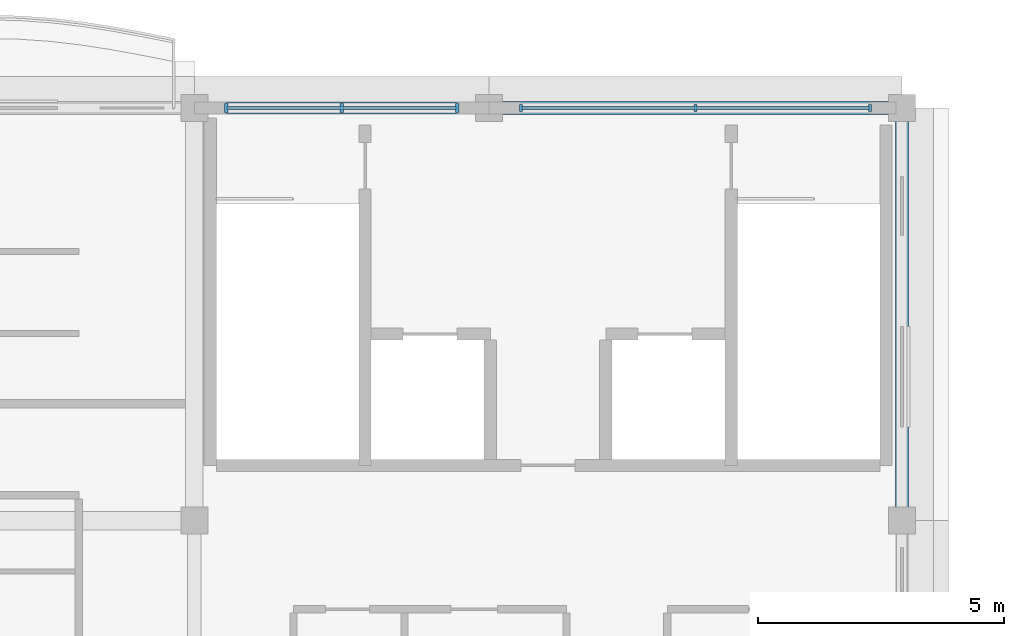
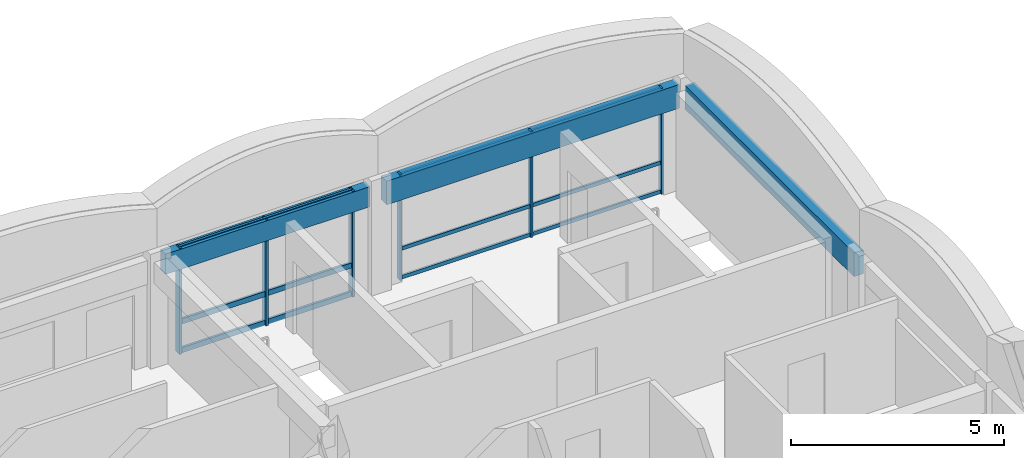
# One storey, part 4 of 28: 12 members, 3 beams, 2 elements without a shape of their own.
"""IFC4 building model written with IfcOpenShell, lengths in metres."""

import ifcopenshell
import ifcopenshell.guid

model = None  # the IFC model being written
_history = None  # IfcOwnerHistory: only IFC2X3 demands one
_inside = {}  # id of a spatial element -> (the spatial element, [elements in it])
_under = {}  # id of a project, library or spatial element -> (it, [spatial elements below it])
_declared = {}  # id of a project -> (the project, [libraries it declares])
_typed = {}  # id of a type object -> (the type object, [elements of that type])
_made_of = {}  # id of a material, layer set ... -> (it, [elements and type objects made of it])


def new_model(schema):
    """Start an empty IFC model of exactly this schema.

    Asked for "IFC4X3", IfcOpenShell would pick the latest addendum, in which some entities
    have other attributes; the version numbers below select the first issue.
    IFC2X3 requires an IfcOwnerHistory on every rooted entity: one is made here for all.
    """
    global model, _history
    if schema == "IFC4X3":
        model = ifcopenshell.file(schema_version=(4, 3, 0, 0))
    else:
        model = ifcopenshell.file(schema=schema)
    _inside.clear()
    _under.clear()
    _declared.clear()
    _typed.clear()
    _made_of.clear()
    _history = None
    if model.schema == "IFC2X3":
        org = make("IfcOrganization", Name="unknown")
        user = make(
            "IfcPersonAndOrganization",
            ThePerson=make("IfcPerson", FamilyName="unknown"),
            TheOrganization=org,
        )
        app = make(
            "IfcApplication",
            ApplicationDeveloper=org,
            Version="unknown",
            ApplicationFullName="unknown",
            ApplicationIdentifier="unknown",
        )
        _history = make(
            "IfcOwnerHistory",
            OwningUser=user,
            OwningApplication=app,
            ChangeAction="ADDED",
            CreationDate=0,
        )
    return model


def make(cls, **values):
    """One entity of the class cls with the attributes given. An attribute that is None is left unset."""
    return model.create_entity(
        cls, **{name: value for name, value in values.items() if value is not None}
    )


def rooted(cls, **values):
    """An entity with a GlobalId (a new one), such as an element, a storey or a relation."""
    return make(cls, GlobalId=ifcopenshell.guid.new(), OwnerHistory=_history, **values)


def si_unit(unit_type, name, prefix=None):
    """IfcSIUnit, for example si_unit("LENGTHUNIT", "METRE", prefix="MILLI")."""
    return make("IfcSIUnit", UnitType=unit_type, Prefix=prefix, Name=name)


def assignment(units):
    """IfcUnitAssignment: the units of a project."""
    return None if units is None else make("IfcUnitAssignment", Units=units)


def point(xyz):
    """IfcCartesianPoint."""
    return None if xyz is None else make("IfcCartesianPoint", Coordinates=xyz)


def direction(xyz):
    """IfcDirection."""
    return None if xyz is None else make("IfcDirection", DirectionRatios=xyz)


def frame(location, z_axis=None, x_axis=None):
    """IfcAxis2Placement3D, a coordinate frame: its origin and axes. An axis left out is left unset."""
    return make(
        "IfcAxis2Placement3D",
        Location=point(location),
        Axis=direction(z_axis),
        RefDirection=direction(x_axis),
    )


def frame_2d(location, x_axis=None):
    """IfcAxis2Placement2D, a coordinate frame in the plane: its origin and x axis."""
    return make(
        "IfcAxis2Placement2D", Location=point(location), RefDirection=direction(x_axis)
    )


def origin():
    """The frame at (0, 0, 0) with its axes left unset."""
    return frame((0.0, 0.0, 0.0))


def origin_2d():
    """The frame at (0, 0) in the plane with its x axis left unset."""
    return frame_2d((0.0, 0.0))


def place(relative_to, where):
    """IfcLocalPlacement: puts the frame where relative to a parent placement (None: the world)."""
    return make(
        "IfcLocalPlacement", PlacementRelTo=relative_to, RelativePlacement=where
    )


def context(
    kind, dimensions, precision=None, world=None, true_north=None, identifier=None
):
    """IfcGeometricRepresentationContext, for example the 3D "Model" context."""
    return make(
        "IfcGeometricRepresentationContext",
        ContextIdentifier=identifier,
        ContextType=kind,
        CoordinateSpaceDimension=dimensions,
        Precision=precision,
        WorldCoordinateSystem=world,
        TrueNorth=true_north,
    )


def subcontext(parent, identifier, kind, view, scale=None):
    """IfcGeometricRepresentationSubContext, for example "Body" below "Model"."""
    return make(
        "IfcGeometricRepresentationSubContext",
        ContextIdentifier=identifier,
        ContextType=kind,
        ParentContext=parent,
        TargetScale=scale,
        TargetView=view,
    )


def project(units=None, contexts=None):
    """IfcProject with its units and contexts."""
    return rooted(
        "IfcProject",
        Name="project",
        RepresentationContexts=contexts,
        UnitsInContext=assignment(units),
    )


def spatial(cls, under=None, at=None, **own):
    """A site, building, storey or space (cls), placed at a placement, below another one or the project."""
    s = rooted(cls, ObjectPlacement=at, **own)
    if under is not None:
        _under.setdefault(under.id(), (under, []))[1].append(s)
    return s


def profile(cls, at=None, kind="AREA", **sizes):
    """A parametric profile (cls). Its sizes go by their IFC names, for example OverallWidth=200.0."""
    return make(cls, ProfileType=kind, Position=at, **sizes)


def rectangle(**sizes):
    """IfcRectangleProfileDef."""
    return profile("IfcRectangleProfileDef", **sizes)


def extrude(swept, where, along, depth):
    """IfcExtrudedAreaSolid: the profile swept, set in the frame where, extruded along a direction by depth."""
    return make(
        "IfcExtrudedAreaSolid",
        SweptArea=swept,
        Position=where,
        ExtrudedDirection=direction(along),
        Depth=depth,
    )


def shape(context_of_items, identifier, shape_type, items):
    """IfcShapeRepresentation: the items that make up one representation, for example the "Body"."""
    return make(
        "IfcShapeRepresentation",
        ContextOfItems=context_of_items,
        RepresentationIdentifier=identifier,
        RepresentationType=shape_type,
        Items=items,
    )


def material(Name=None, Category=None):
    """IfcMaterial."""
    return make("IfcMaterial", Name=Name, Category=Category)


def material_profile(
    of_material, cross_section, Name=None, Category=None, Priority=None
):
    """IfcMaterialProfile: a cross section and its material."""
    return make(
        "IfcMaterialProfile",
        Name=Name,
        Material=of_material,
        Profile=cross_section,
        Priority=Priority,
        Category=Category,
    )


def profile_set(profiles, Name=None, composite=None):
    """IfcMaterialProfileSet."""
    return make(
        "IfcMaterialProfileSet",
        Name=Name,
        MaterialProfiles=profiles,
        CompositeProfile=composite,
    )


def made_of(thing, what):
    """Note that an element or type object is made of a material, layer set ...; save() writes the relation."""
    if what is not None:
        _made_of.setdefault(what.id(), (what, []))[1].append(thing)
    return thing


def type_object(cls, material=None, **own):
    """A type object (cls), such as IfcWallType, which elements share."""
    return made_of(rooted(cls, **own), material)


def element(
    cls,
    number,
    at=None,
    inside=None,
    cuts=None,
    type_object=None,
    material=None,
    context=None,
    identifier="Body",
    shape_type=None,
    held_by="IfcProductDefinitionShape",
    body=None,
    shapes=None,
    **own,
):
    """One element of the class cls, such as IfcWall. Its Tag is "e" and its number.

    at: its placement. inside: the storey or other place that contains it. cuts: it is an
    opening in that element (IfcRelVoidsElement). A single representation is given by context,
    identifier, shape_type and body (its items); several are given by shapes. held_by: the class
    of the entity that holds the representations. save() writes the other relations.
    """
    e = rooted(cls, Tag="e%d" % number, ObjectPlacement=at, **own)
    if body is not None:
        shapes = [shape(context, identifier, shape_type, body)]
    if shapes is not None:
        e.Representation = make(held_by, Representations=shapes)
    if inside is not None:
        _inside.setdefault(inside.id(), (inside, []))[1].append(e)
    if cuts is not None:
        rooted(
            "IfcRelVoidsElement", RelatingBuildingElement=cuts, RelatedOpeningElement=e
        )
    if type_object is not None:
        _typed.setdefault(type_object.id(), (type_object, []))[1].append(e)
    return made_of(e, material)


def aggregate(whole, parts):
    """IfcRelAggregates: a whole, such as a stair, and the parts it consists of."""
    return rooted("IfcRelAggregates", RelatingObject=whole, RelatedObjects=parts)


def save(model, path):
    """Write the relations noted so far, then the file.

    IfcRelAggregates (storeys below a building ...), IfcRelContainedInSpatialStructure (elements
    in a storey), IfcRelDefinesByType, IfcRelAssociatesMaterial and IfcRelDeclares: one each for
    every whole, place, type object, material and project.
    """
    for whole, parts in _under.values():
        aggregate(whole, parts)
    for where, things in _inside.values():
        rooted(
            "IfcRelContainedInSpatialStructure",
            RelatedElements=things,
            RelatingStructure=where,
        )
    for kind, things in _typed.values():
        rooted("IfcRelDefinesByType", RelatedObjects=things, RelatingType=kind)
    for what, things in _made_of.values():
        rooted("IfcRelAssociatesMaterial", RelatedObjects=things, RelatingMaterial=what)
    for by, libraries in _declared.values():
        rooted("IfcRelDeclares", RelatingContext=by, RelatedDefinitions=libraries)
    model.write(path)


model = new_model("IFC4")

# Units and contexts
model_context = context("Model", 3, precision=1e-05, world=origin(), true_north=direction((0.0, 1.0)))
body_context = subcontext(model_context, "Body", "Model", "MODEL_VIEW")
ifc_project = project(units=[si_unit("LENGTHUNIT", "METRE"), si_unit("AREAUNIT", "SQUARE_METRE"), si_unit("VOLUMEUNIT", "CUBIC_METRE"), si_unit("PLANEANGLEUNIT", "RADIAN"), si_unit("MASSUNIT", "GRAM", prefix="KILO"), si_unit("THERMODYNAMICTEMPERATUREUNIT", "KELVIN")], contexts=[model_context])

# Site, building, storey
site_placement = place(None, origin())
site = spatial("IfcSite", under=ifc_project, at=site_placement, CompositionType="ELEMENT")
building_placement = place(site_placement, origin())
building = spatial("IfcBuilding", under=site, at=building_placement, Name="Thalorik Housing Commons", CompositionType="ELEMENT")
storey_placement = place(building_placement, frame((0.0, 0.0, 41.10009765625)))
storey = spatial("IfcBuildingStorey", under=building, at=storey_placement, Name="L12", CompositionType="ELEMENT", Elevation=41.10009765625)

# Curtain wall, members
ifc_material_1 = material(Name="Anodised aluminium and solar-control low-E glass", Category="aluminium")
curtain_wall_type = type_object("IfcCurtainWallType", Name="ARC-CW-CORE", PredefinedType="USERDEFINED", material=ifc_material_1)
curtain_wall_1_placement = place(storey_placement, origin())
curtain_wall_1 = element("IfcCurtainWall", 1, at=curtain_wall_1_placement, inside=storey, type_object=curtain_wall_type, Name="L12 Curtain Wall CW-CORE-L12-B-125", ObjectType="CURTAIN WALL", PredefinedType="USERDEFINED")
ifc_material_2 = material(Name="Anodised aluminium 6063-T6", Category="aluminium")
ifc_material_profile_1 = material_profile(ifc_material_2, rectangle(XDim=0.054931640625, YDim=0.139892578125, at=origin_2d()), Name="ALU MUL 55x140", Category="aluminium")
ifc_profile_set_1 = profile_set([ifc_material_profile_1], Name="Anodised aluminium 6063-T6")
member_type_1 = type_object("IfcMemberType", Name="ARC-CW-MUL-55x140", PredefinedType="MULLION", material=ifc_profile_set_1)
member_1_placement = place(storey_placement, frame((166.14990234375, 123.60009765625, 0.0), z_axis=(0.0, 0.0, 1.0), x_axis=(-1.0, 0.0, 0.0)))
member_1 = element("IfcMember", 2, at=member_1_placement, type_object=member_type_1, Name="CW-CORE-L12-B-125 Mullion 1", PredefinedType="MULLION", context=body_context, shape_type="SweptSolid", body=[
    extrude(rectangle(XDim=0.054931640625, YDim=0.139892578125, at=origin_2d()), origin(), (0.0, 0.0, 1.0), 3.039794921875),
])
member_2_placement = place(storey_placement, frame((162.60009765625, 123.60009765625, 0.0), z_axis=(0.0, 0.0, 1.0), x_axis=(-1.0, 0.0, 0.0)))
member_2 = element("IfcMember", 3, at=member_2_placement, type_object=member_type_1, Name="CW-CORE-L12-B-125 Mullion 2", PredefinedType="MULLION", context=body_context, shape_type="SweptSolid", body=[
    extrude(rectangle(XDim=0.054931640625, YDim=0.139892578125, at=origin_2d()), origin(), (0.0, 0.0, 1.0), 3.039794921875),
])
member_3_placement = place(storey_placement, frame((159.050048828125, 123.60009765625, 0.0), z_axis=(0.0, 0.0, 1.0), x_axis=(-1.0, 0.0, 0.0)))
member_3 = element("IfcMember", 4, at=member_3_placement, type_object=member_type_1, Name="CW-CORE-L12-B-125 Mullion 3", PredefinedType="MULLION", context=body_context, shape_type="SweptSolid", body=[
    extrude(rectangle(XDim=0.054931640625, YDim=0.139892578125, at=origin_2d()), origin(), (0.0, 0.0, 1.0), 3.039794921875),
])

curtain_wall_2_placement = place(storey_placement, origin())
curtain_wall_2 = element("IfcCurtainWall", 5, at=curtain_wall_2_placement, inside=storey, type_object=curtain_wall_type, Name="L12 Curtain Wall CW-CORE-L12-B-126", ObjectType="CURTAIN WALL", PredefinedType="USERDEFINED")
ifc_material_profile_2 = material_profile(ifc_material_2, rectangle(XDim=0.06494140625, YDim=0.179931640625, at=origin_2d()), Name="ALU MUL 65x180", Category="aluminium")
ifc_profile_set_2 = profile_set([ifc_material_profile_2], Name="Anodised aluminium 6063-T6")
member_type_2 = type_object("IfcMemberType", Name="ARC-CW-MUL-65x180", PredefinedType="MULLION", material=ifc_profile_set_2)
member_4_placement = place(storey_placement, frame((157.75, 123.60009765625, 0.0), z_axis=(0.0, 0.0, 1.0), x_axis=(-1.0, 0.0, 0.0)))
member_4 = element("IfcMember", 6, at=member_4_placement, type_object=member_type_2, Name="CW-CORE-L12-B-126 Mullion 1", PredefinedType="MULLION", context=body_context, shape_type="SweptSolid", body=[
    extrude(rectangle(XDim=0.06494140625, YDim=0.179931640625, at=origin_2d()), origin(), (0.0, 0.0, 1.0), 3.039794921875),
])
member_5_placement = place(storey_placement, frame((155.39990234375, 123.60009765625, 0.0), z_axis=(0.0, 0.0, 1.0), x_axis=(-1.0, 0.0, 0.0)))
member_5 = element("IfcMember", 7, at=member_5_placement, type_object=member_type_2, Name="CW-CORE-L12-B-126 Mullion 2", PredefinedType="MULLION", context=body_context, shape_type="SweptSolid", body=[
    extrude(rectangle(XDim=0.06494140625, YDim=0.179931640625, at=origin_2d()), origin(), (0.0, 0.0, 1.0), 3.039794921875),
])
member_6_placement = place(storey_placement, frame((153.050048828125, 123.60009765625, 0.0), z_axis=(0.0, 0.0, 1.0), x_axis=(-1.0, 0.0, 0.0)))
member_6 = element("IfcMember", 8, at=member_6_placement, type_object=member_type_2, Name="CW-CORE-L12-B-126 Mullion 3", PredefinedType="MULLION", context=body_context, shape_type="SweptSolid", body=[
    extrude(rectangle(XDim=0.06494140625, YDim=0.179931640625, at=origin_2d()), origin(), (0.0, 0.0, 1.0), 3.039794921875),
])

# Member
ifc_material_profile_3 = material_profile(ifc_material_2, rectangle(XDim=0.054931640625, YDim=0.10498046875, at=origin_2d()), Name="ALU TRN 55x105", Category="aluminium")
ifc_profile_set_3 = profile_set([ifc_material_profile_3], Name="Anodised aluminium 6063-T6")
member_type_3 = type_object("IfcMemberType", Name="ARC-CW-TRN-55x105", PredefinedType="USERDEFINED", material=ifc_profile_set_3)
member_7_placement = place(storey_placement, frame((166.14990234375, 123.60009765625, 0.054931640625), z_axis=(-1.0, 0.0, 0.0), x_axis=(0.0, -1.0, 0.0)))
member_7 = element("IfcMember", 9, at=member_7_placement, type_object=member_type_3, Name="CW-CORE-L12-B-125 Transom 1", ObjectType="TRANSOM", PredefinedType="USERDEFINED", context=body_context, shape_type="SweptSolid", body=[
    extrude(rectangle(XDim=0.054931640625, YDim=0.10498046875, at=origin_2d()), origin(), (0.0, 0.0, 1.0), 7.099853515625),
])

member_8_placement = place(storey_placement, frame((166.14990234375, 123.60009765625, 0.8798828125), z_axis=(-1.0, 0.0, 0.0), x_axis=(0.0, -1.0, 0.0)))
member_8 = element("IfcMember", 10, at=member_8_placement, type_object=member_type_3, Name="CW-CORE-L12-B-125 Transom 2", ObjectType="TRANSOM", PredefinedType="USERDEFINED", context=body_context, shape_type="SweptSolid", body=[
    extrude(rectangle(XDim=0.054931640625, YDim=0.10498046875, at=origin_2d()), origin(), (0.0, 0.0, 1.0), 7.099853515625),
])

member_9_placement = place(storey_placement, frame((166.14990234375, 123.60009765625, 2.98486328125), z_axis=(-1.0, 0.0, 0.0), x_axis=(0.0, -1.0, 0.0)))
member_9 = element("IfcMember", 11, at=member_9_placement, type_object=member_type_3, Name="CW-CORE-L12-B-125 Transom 3", ObjectType="TRANSOM", PredefinedType="USERDEFINED", context=body_context, shape_type="SweptSolid", body=[
    extrude(rectangle(XDim=0.054931640625, YDim=0.10498046875, at=origin_2d()), origin(), (0.0, 0.0, 1.0), 7.099853515625),
])

aggregate(curtain_wall_1, [member_1, member_2, member_3, member_7, member_8, member_9])

ifc_material_profile_4 = material_profile(ifc_material_2, rectangle(XDim=0.06494140625, YDim=0.14990234375, at=origin_2d()), Name="ALU TRN 65x150", Category="aluminium")
ifc_profile_set_4 = profile_set([ifc_material_profile_4], Name="Anodised aluminium 6063-T6")
member_type_4 = type_object("IfcMemberType", Name="ARC-CW-TRN-65x150", PredefinedType="USERDEFINED", material=ifc_profile_set_4)
member_10_placement = place(storey_placement, frame((157.75, 123.60009765625, 0.054931640625), z_axis=(-1.0, 0.0, 0.0), x_axis=(0.0, -1.0, 0.0)))
member_10 = element("IfcMember", 12, at=member_10_placement, type_object=member_type_4, Name="CW-CORE-L12-B-126 Transom 1", ObjectType="TRANSOM", PredefinedType="USERDEFINED", context=body_context, shape_type="SweptSolid", body=[
    extrude(rectangle(XDim=0.06494140625, YDim=0.14990234375, at=origin_2d()), origin(), (0.0, 0.0, 1.0), 4.699951171875),
])

member_11_placement = place(storey_placement, frame((157.75, 123.60009765625, 0.8798828125), z_axis=(-1.0, 0.0, 0.0), x_axis=(0.0, -1.0, 0.0)))
member_11 = element("IfcMember", 13, at=member_11_placement, type_object=member_type_4, Name="CW-CORE-L12-B-126 Transom 2", ObjectType="TRANSOM", PredefinedType="USERDEFINED", context=body_context, shape_type="SweptSolid", body=[
    extrude(rectangle(XDim=0.06494140625, YDim=0.14990234375, at=origin_2d()), origin(), (0.0, 0.0, 1.0), 4.699951171875),
])

member_12_placement = place(storey_placement, frame((157.75, 123.60009765625, 2.98486328125), z_axis=(-1.0, 0.0, 0.0), x_axis=(0.0, -1.0, 0.0)))
member_12 = element("IfcMember", 14, at=member_12_placement, type_object=member_type_4, Name="CW-CORE-L12-B-126 Transom 3", ObjectType="TRANSOM", PredefinedType="USERDEFINED", context=body_context, shape_type="SweptSolid", body=[
    extrude(rectangle(XDim=0.06494140625, YDim=0.14990234375, at=origin_2d()), origin(), (0.0, 0.0, 1.0), 4.699951171875),
])

aggregate(curtain_wall_2, [member_4, member_5, member_6, member_10, member_11, member_12])

# Beams
ifc_material_3 = material(Name="Precast concrete C40/50", Category="concrete")
ifc_material_profile_5 = material_profile(ifc_material_3, rectangle(XDim=0.239990234375, YDim=0.580078125, at=origin_2d()), Name="PC SP 240x580", Category="concrete")
ifc_profile_set_5 = profile_set([ifc_material_profile_5], Name="Precast concrete C40/50")
beam_type_1 = type_object("IfcBeamType", Name="STR-SP-PC240x580", PredefinedType="SPANDREL", material=ifc_profile_set_5)
beam_placement = place(storey_placement, frame((152.625, 123.60009765625, 2.75), z_axis=(1.0, 0.0, 0.0), x_axis=(0.0, 1.0, 0.0)))
element("IfcBeam", 15, at=beam_placement, inside=storey, type_object=beam_type_1, Name="L12 Beam B-500", PredefinedType="SPANDREL", context=body_context, shape_type="SweptSolid", body=[
    extrude(rectangle(XDim=0.239990234375, YDim=0.580078125, at=origin_2d()), origin(), (0.0, 0.0, 1.0), 5.550048828125),
])
ifc_material_profile_6 = material_profile(ifc_material_3, rectangle(XDim=0.260009765625, YDim=0.679931640625, at=origin_2d()), Name="PC SP 260x680", Category="concrete")
ifc_profile_set_6 = profile_set([ifc_material_profile_6], Name="Precast concrete C40/50")
beam_type_2 = type_object("IfcBeamType", Name="STR-SP-PC260x680", PredefinedType="SPANDREL", material=ifc_profile_set_6)
for number, where, z_axis, x_axis, name in (
    (16, (158.625, 123.60009765625, 2.699951171875), (1.0, 0.0, 0.0), (0.0, 1.0, 0.0), "L12 Beam B-650"),
    (17, (166.800048828125, 115.425048828125, 2.699951171875), (0.0, 1.0, 0.0), (-1.0, 0.0, 0.0), "L12 Beam B-600"),
):
    element("IfcBeam", number, at=place(storey_placement, frame(where, z_axis=z_axis, x_axis=x_axis)), inside=storey, type_object=beam_type_2, Name=name, PredefinedType="SPANDREL", context=body_context, shape_type="SweptSolid", body=[
        extrude(rectangle(XDim=0.260009765625, YDim=0.679931640625, at=origin_2d()), origin(), (0.0, 0.0, 1.0), 7.949951171875),
    ])

save(model, "model.ifc")
